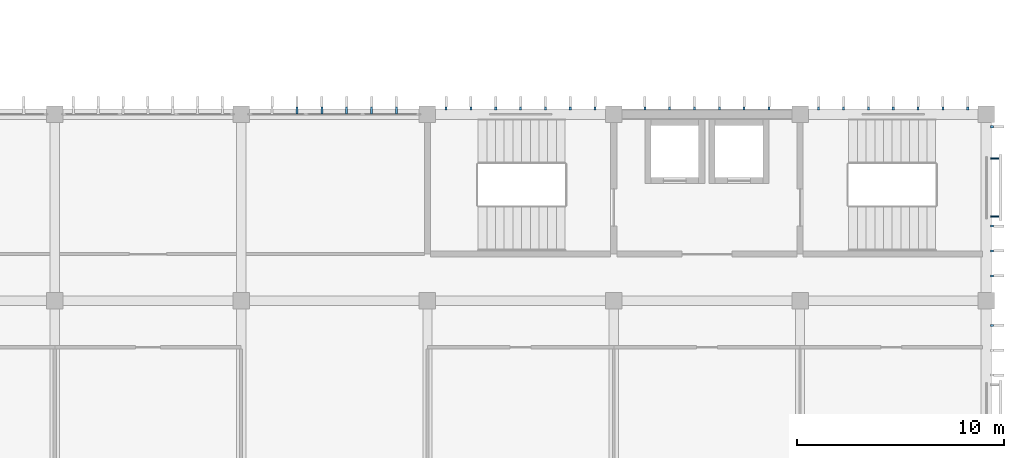
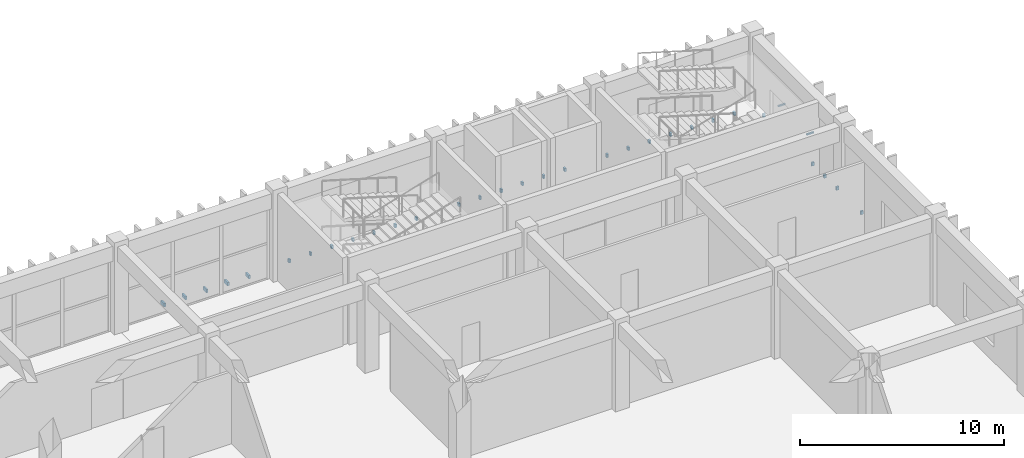
# One storey, part 405 of 437: 32 discrete accessories.
"""IFC4 building model written with IfcOpenShell, lengths in metres."""

from ifc_helpers import new_model, si_unit, direction, frame, origin, origin_2d, place, context, subcontext, project, spatial, rectangle, extrude, material, type_object, element, save


model = new_model("IFC4")

# Units and contexts
model_context = context("Model", 3, precision=1e-05, world=origin(), true_north=direction((0.0, 1.0)))
body_context = subcontext(model_context, "Body", "Model", "MODEL_VIEW")
ifc_project = project(units=[si_unit("LENGTHUNIT", "METRE"), si_unit("AREAUNIT", "SQUARE_METRE"), si_unit("VOLUMEUNIT", "CUBIC_METRE"), si_unit("PLANEANGLEUNIT", "RADIAN"), si_unit("MASSUNIT", "GRAM", prefix="KILO")], contexts=[model_context])

# Site, building, storey
site_placement = place(None, origin())
site = spatial("IfcSite", under=ifc_project, at=site_placement, CompositionType="ELEMENT")
building_placement = place(site_placement, origin())
building = spatial("IfcBuilding", under=site, at=building_placement, Name="Opaline Strait Convention Centre", CompositionType="ELEMENT")
storey_placement = place(building_placement, frame((0.0, 0.0, 11.5)))
storey = spatial("IfcBuildingStorey", under=building, at=storey_placement, Name="L02", CompositionType="ELEMENT", Elevation=11.5)

# Discrete accessories
ifc_material = material(Name="Stainless steel 304", Category="steel")
discrete_accessory_type_1 = type_object("IfcDiscreteAccessoryType", Name="Fin bracket 150 stainless steel", PredefinedType="BRACKET", material=ifc_material)
for number, where, z_axis, x_axis, name in (
    (1, (326.699951171875, 180.181884765625, 0.35009765625), (0.0, 0.0, 1.0), (1.0, 0.0, 0.0), "Fin bracket"),
    (2, (327.89990234375, 180.181884765625, 0.35009765625), (0.0, 0.0, 1.0), (1.0, 0.0, 0.0), "Fin bracket"),
    (3, (329.10009765625, 180.181884765625, 0.35009765625), (0.0, 0.0, 1.0), (1.0, 0.0, 0.0), "Fin bracket"),
    (4, (330.300048828125, 180.181884765625, 0.35009765625), (0.0, 0.0, 1.0), (1.0, 0.0, 0.0), "Fin bracket"),
    (5, (331.5, 180.181884765625, 0.35009765625), (0.0, 0.0, 1.0), (1.0, 0.0, 0.0), "Fin bracket"),
):
    element("IfcDiscreteAccessory", number, at=place(storey_placement, frame(where, z_axis=z_axis, x_axis=x_axis)), inside=storey, type_object=discrete_accessory_type_1, Name=name, PredefinedType="BRACKET", context=body_context, shape_type="SweptSolid", body=[
        extrude(rectangle(XDim=0.10009765625, YDim=0.3359375, at=origin_2d()), origin(), (0.0, 0.0, 1.0), 0.199951171875),
    ])
for number, where, z_axis, x_axis, name in (
    (6, (333.89990234375, 180.27490234375, 0.35009765625), (0.0, 0.0, 1.0), (1.0, 0.0, 0.0), "Fin bracket"),
    (7, (335.10009765625, 180.27490234375, 0.35009765625), (0.0, 0.0, 1.0), (1.0, 0.0, 0.0), "Fin bracket"),
    (8, (336.300048828125, 180.27490234375, 0.35009765625), (0.0, 0.0, 1.0), (1.0, 0.0, 0.0), "Fin bracket"),
    (9, (337.5, 180.27490234375, 0.35009765625), (0.0, 0.0, 1.0), (1.0, 0.0, 0.0), "Fin bracket"),
    (10, (338.699951171875, 180.27490234375, 0.35009765625), (0.0, 0.0, 1.0), (1.0, 0.0, 0.0), "Fin bracket"),
    (11, (339.89990234375, 180.27490234375, 0.35009765625), (0.0, 0.0, 1.0), (1.0, 0.0, 0.0), "Fin bracket"),
    (12, (341.10009765625, 180.27490234375, 0.35009765625), (0.0, 0.0, 1.0), (1.0, 0.0, 0.0), "Fin bracket"),
    (13, (343.5, 180.27490234375, 0.35009765625), (0.0, 0.0, 1.0), (1.0, 0.0, 0.0), "Fin bracket"),
    (14, (344.699951171875, 180.27490234375, 0.35009765625), (0.0, 0.0, 1.0), (1.0, 0.0, 0.0), "Fin bracket"),
    (15, (345.89990234375, 180.27490234375, 0.35009765625), (0.0, 0.0, 1.0), (1.0, 0.0, 0.0), "Fin bracket"),
    (16, (347.10009765625, 180.27490234375, 0.35009765625), (0.0, 0.0, 1.0), (1.0, 0.0, 0.0), "Fin bracket"),
    (17, (348.300048828125, 180.27490234375, 0.35009765625), (0.0, 0.0, 1.0), (1.0, 0.0, 0.0), "Fin bracket"),
    (18, (349.5, 180.27490234375, 0.35009765625), (0.0, 0.0, 1.0), (1.0, 0.0, 0.0), "Fin bracket"),
    (19, (351.89990234375, 180.27490234375, 0.35009765625), (0.0, 0.0, 1.0), (1.0, 0.0, 0.0), "Fin bracket"),
    (20, (353.10009765625, 180.27490234375, 0.35009765625), (0.0, 0.0, 1.0), (1.0, 0.0, 0.0), "Fin bracket"),
    (21, (354.300048828125, 180.27490234375, 0.35009765625), (0.0, 0.0, 1.0), (1.0, 0.0, 0.0), "Fin bracket"),
    (22, (355.5, 180.27490234375, 0.35009765625), (0.0, 0.0, 1.0), (1.0, 0.0, 0.0), "Fin bracket"),
    (23, (356.699951171875, 180.27490234375, 0.35009765625), (0.0, 0.0, 1.0), (1.0, 0.0, 0.0), "Fin bracket"),
    (24, (357.89990234375, 180.27490234375, 0.35009765625), (0.0, 0.0, 1.0), (1.0, 0.0, 0.0), "Fin bracket"),
    (25, (359.10009765625, 180.27490234375, 0.35009765625), (0.0, 0.0, 1.0), (1.0, 0.0, 0.0), "Fin bracket"),
):
    element("IfcDiscreteAccessory", number, at=place(storey_placement, frame(where, z_axis=z_axis, x_axis=x_axis)), inside=storey, type_object=discrete_accessory_type_1, Name=name, PredefinedType="BRACKET", context=body_context, shape_type="SweptSolid", body=[
        extrude(rectangle(XDim=0.10009765625, YDim=0.14990234375, at=origin_2d()), origin(), (0.0, 0.0, 1.0), 0.199951171875),
    ])
for number, where, z_axis, x_axis, name in (
    (26, (360.27490234375, 169.800048828125, 0.35009765625), (0.0, 0.0, 1.0), (1.0, 0.0, 0.0), "Fin bracket"),
    (27, (360.27490234375, 172.199951171875, 0.35009765625), (0.0, 0.0, 1.0), (1.0, 0.0, 0.0), "Fin bracket"),
    (28, (360.27490234375, 173.39990234375, 0.35009765625), (0.0, 0.0, 1.0), (1.0, 0.0, 0.0), "Fin bracket"),
    (29, (360.27490234375, 174.60009765625, 0.35009765625), (0.0, 0.0, 1.0), (1.0, 0.0, 0.0), "Fin bracket"),
    (30, (360.27490234375, 179.39990234375, 0.35009765625), (0.0, 0.0, 1.0), (1.0, 0.0, 0.0), "Fin bracket"),
):
    element("IfcDiscreteAccessory", number, at=place(storey_placement, frame(where, z_axis=z_axis, x_axis=x_axis)), inside=storey, type_object=discrete_accessory_type_1, Name=name, PredefinedType="BRACKET", context=body_context, shape_type="SweptSolid", body=[
        extrude(rectangle(XDim=0.14990234375, YDim=0.10009765625, at=origin_2d()), origin(), (0.0, 0.0, 1.0), 0.199951171875),
    ])
discrete_accessory_type_2 = type_object("IfcDiscreteAccessoryType", Name="Louvre bracket 400 stainless steel", PredefinedType="BRACKET", material=ifc_material)
for number, where, z_axis, x_axis, name in (
    (31, (360.39990234375, 175.0625, 1.909912109375), (0.0, 0.0, 1.0), (1.0, 0.0, 0.0), "Louvre bracket"),
    (32, (360.39990234375, 177.862548828125, 1.909912109375), (0.0, 0.0, 1.0), (1.0, 0.0, 0.0), "Louvre bracket"),
):
    element("IfcDiscreteAccessory", number, at=place(storey_placement, frame(where, z_axis=z_axis, x_axis=x_axis)), inside=storey, type_object=discrete_accessory_type_2, Name=name, PredefinedType="BRACKET", context=body_context, shape_type="SweptSolid", body=[
        extrude(rectangle(XDim=0.39990234375, YDim=0.080078125, at=origin_2d()), origin(), (0.0, 0.0, 1.0), 0.080078125),
    ])

save(model, "model.ifc")
